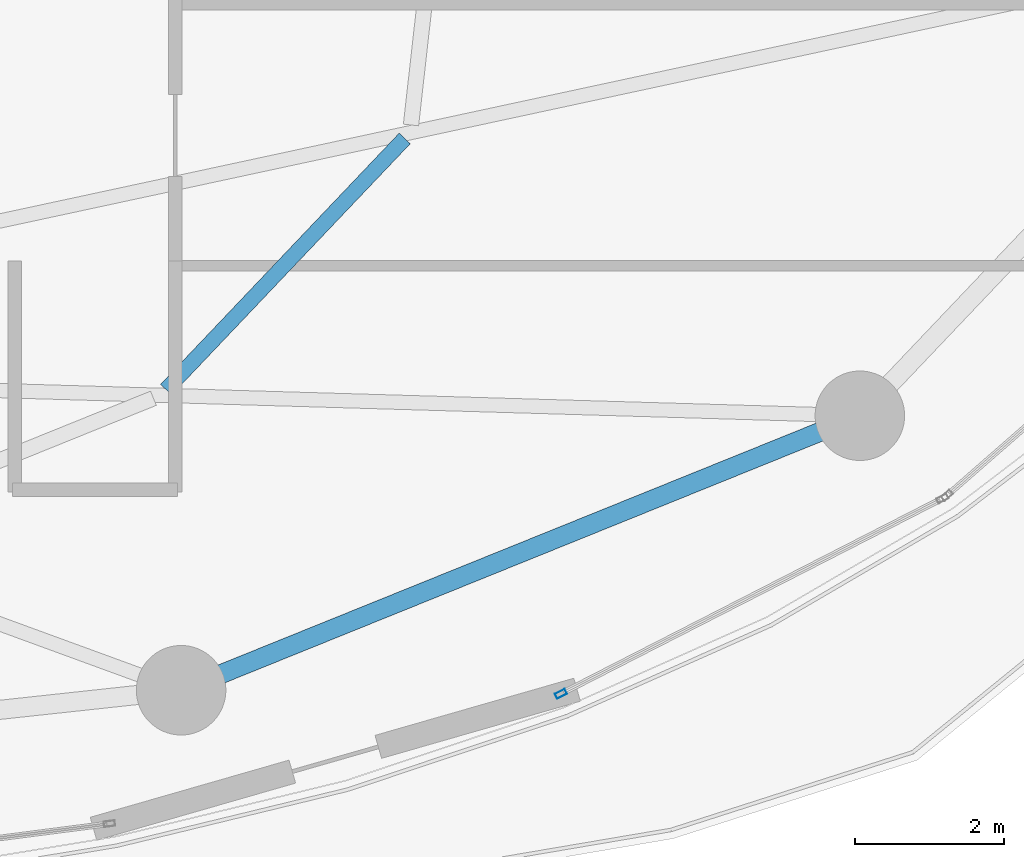
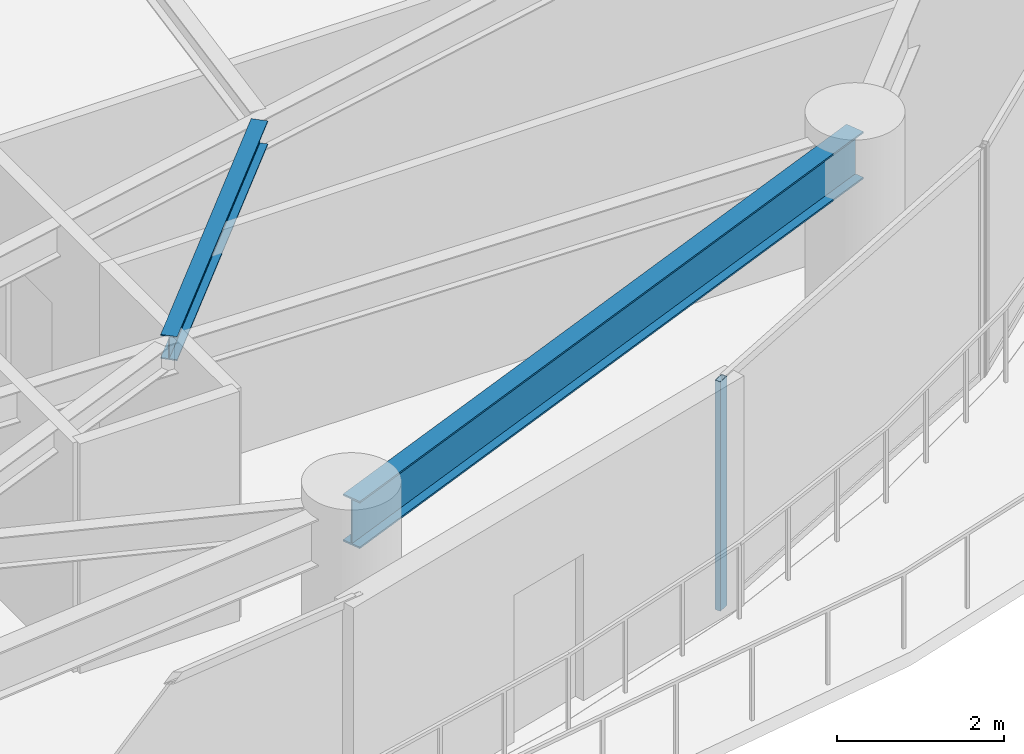
# One storey, part 11 of 30: 2 beams, 1 member, 1 element without a shape of its own.
"""IFC4 building model written with IfcOpenShell, lengths in metres."""

from ifc_helpers import new_model, si_unit, direction, frame, origin, origin_2d, place, context, subcontext, project, spatial, hollow_rectangle, i_section, extrude, material, layer, layer_set, material_profile, profile_set, type_object, element, aggregate, save


model = new_model("IFC4")

# Units and contexts
model_context = context("Model", 3, precision=1e-05, world=origin(), true_north=direction((0.0, 1.0)))
body_context = subcontext(model_context, "Body", "Model", "MODEL_VIEW")
ifc_project = project(units=[si_unit("LENGTHUNIT", "METRE"), si_unit("AREAUNIT", "SQUARE_METRE"), si_unit("VOLUMEUNIT", "CUBIC_METRE"), si_unit("PLANEANGLEUNIT", "RADIAN"), si_unit("MASSUNIT", "GRAM", prefix="KILO")], contexts=[model_context])

# Site, building, storey
site_placement = place(None, origin())
site = spatial("IfcSite", under=ifc_project, at=site_placement, CompositionType="ELEMENT")
building_placement = place(site_placement, origin())
building = spatial("IfcBuilding", under=site, at=building_placement, Name="Kazevale Care Tower and Concert Hall", CompositionType="ELEMENT")
storey_placement = place(building_placement, frame((0.0, 0.0, 113.39990234375)))
storey = spatial("IfcBuildingStorey", under=building, at=storey_placement, Name="L29", CompositionType="ELEMENT", Elevation=113.39990234375)

# Curtain wall, member
ifc_material_1 = material(Name="Aluminium 6063-T6 and Low-E Glass", Category="aluminium")
ifc_layer = layer(ifc_material_1, 0.179931640625)
ifc_layer_set = layer_set([ifc_layer], Name="Aluminium 6063-T6 and Low-E Glass")
curtain_wall_type = type_object("IfcCurtainWallType", Name="Sheltered Concave Balcony Curtain Wall CW-5", PredefinedType="NOTDEFINED", material=ifc_layer_set)
curtain_wall_placement = place(storey_placement, origin())
curtain_wall = element("IfcCurtainWall", 1, at=curtain_wall_placement, inside=storey, type_object=curtain_wall_type, Name="cw:L29:f03", PredefinedType="NOTDEFINED")
ifc_material_2 = material(Name="Aluminium 6063-T6", Category="aluminium")
ifc_material_profile_1 = material_profile(ifc_material_2, hollow_rectangle(XDim=0.074951171875, YDim=0.14990234375, WallThickness=0.00390625, at=origin_2d()), Name="ALU75x150x4")
ifc_profile_set_1 = profile_set([ifc_material_profile_1], Name="Aluminium 6063-T6")
member_type = type_object("IfcMemberType", Name="CW-5 Mullion ALU75x150x4", PredefinedType="MULLION", material=ifc_profile_set_1)
member_placement = place(storey_placement, frame((60.822265625, 19.26220703125, 0.0), z_axis=(0.0, 0.0, 1.0), x_axis=(0.455713236575, -0.890126646051, 0.0)))
member = element("IfcMember", 2, at=member_placement, type_object=member_type, Name="CW-5 mullion 2", PredefinedType="MULLION", context=body_context, shape_type="SweptSolid", body=[
    extrude(hollow_rectangle(XDim=0.074951171875, YDim=0.14990234375, WallThickness=0.00390625, at=origin_2d()), origin(), (0.0, 0.0, 1.0), 3.360107421875),
])
aggregate(curtain_wall, [member])

# Beams
ifc_material_3 = material(Name="Steel ASTM A572 Gr 50", Category="steel")
ifc_material_profile_2 = material_profile(ifc_material_3, i_section(OverallWidth=0.205078125, OverallDepth=0.35400390625, WebThickness=0.009521484375, FlangeThickness=0.016845703125, at=origin_2d()), Name="W360x79")
ifc_profile_set_2 = profile_set([ifc_material_profile_2], Name="Steel ASTM A572 Gr 50")
beam_type_1 = type_object("IfcBeamType", Name="Secondary Floor Joist W360x79", PredefinedType="JOIST", material=ifc_profile_set_2)
beam_1_placement = place(storey_placement, frame((55.529052734375, 23.341064453125, 3.18310546875), z_axis=(0.688792288395, 0.724958746032, 0.0), x_axis=(-0.724958746032, 0.688792288395, 0.0)))
element("IfcBeam", 3, at=beam_1_placement, inside=storey, type_object=beam_type_1, Name="beam:L29:joist:15", PredefinedType="JOIST", context=body_context, shape_type="SweptSolid", body=[
    extrude(i_section(OverallWidth=0.205078125, OverallDepth=0.35400390625, WebThickness=0.009521484375, FlangeThickness=0.016845703125, at=origin_2d()), origin(), (0.0, 0.0, 1.0), 4.644287109375),
])
ifc_material_profile_3 = material_profile(ifc_material_3, i_section(OverallWidth=0.256103515625, OverallDepth=0.693115234375, WebThickness=0.014404296875, FlangeThickness=0.023681640625, at=origin_2d()), Name="W690x170")
ifc_profile_set_3 = profile_set([ifc_material_profile_3], Name="Steel ASTM A572 Gr 50")
beam_type_2 = type_object("IfcBeamType", Name="Waist Ring Beam W690x170", PredefinedType="BEAM", material=ifc_profile_set_3)
beam_2_placement = place(storey_placement, frame((55.72998046875, 19.31005859375, 3.013671875), z_axis=(0.927068687828, 0.374891515041, 0.0), x_axis=(-0.374891515041, 0.927068687828, 0.0)))
element("IfcBeam", 4, at=beam_2_placement, inside=storey, type_object=beam_type_2, Name="beam:L29:ring:14", PredefinedType="BEAM", context=body_context, shape_type="SweptSolid", body=[
    extrude(i_section(OverallWidth=0.256103515625, OverallDepth=0.693115234375, WebThickness=0.014404296875, FlangeThickness=0.023681640625, at=origin_2d()), origin(), (0.0, 0.0, 1.0), 9.81591796875),
])

save(model, "model.ifc")
